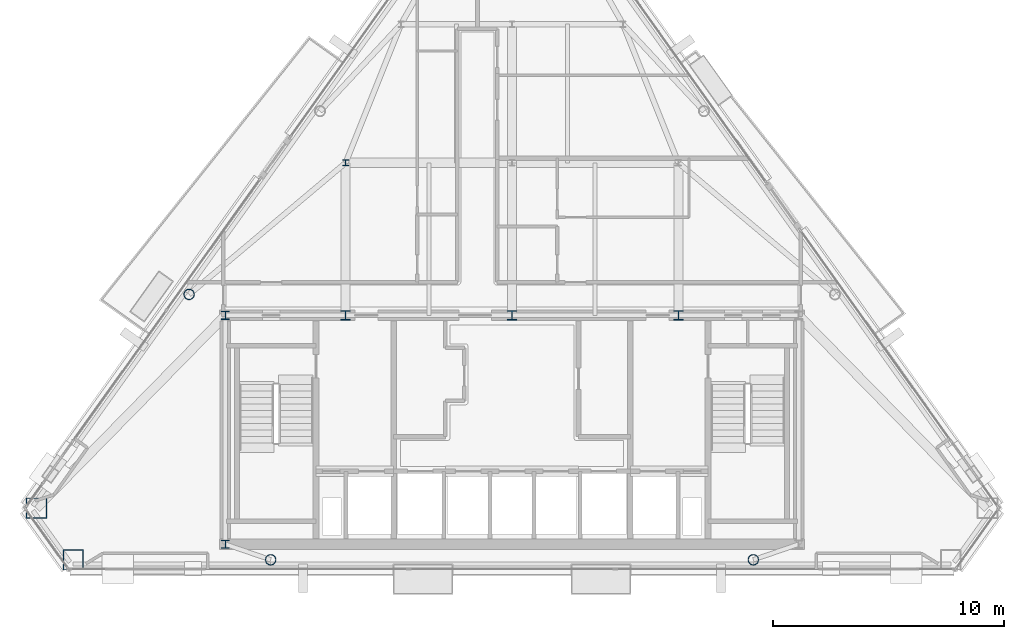
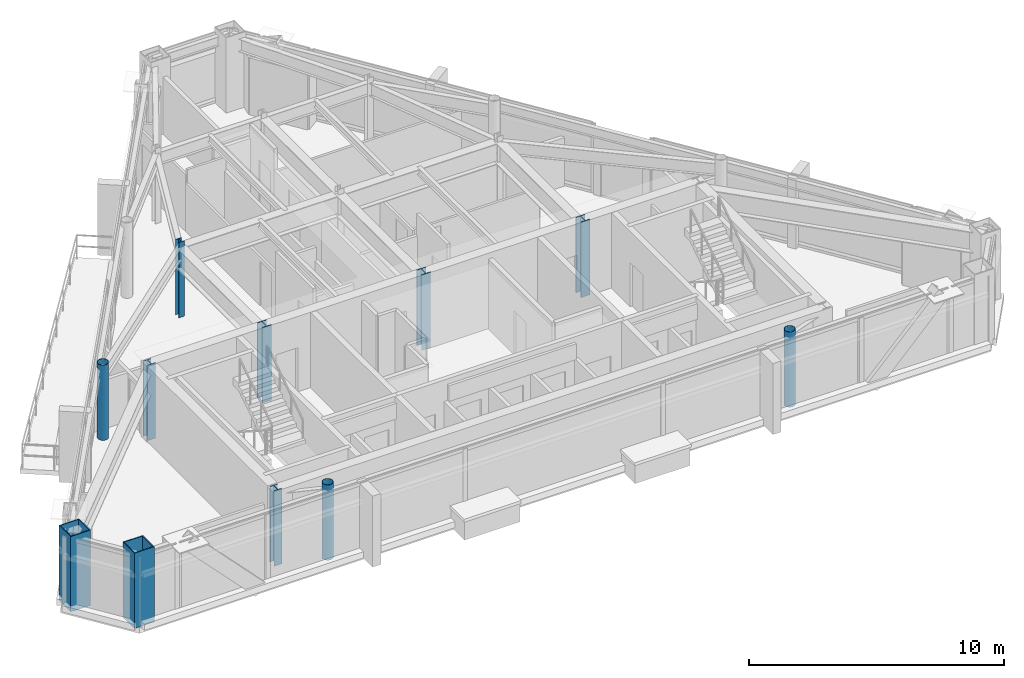
# One storey, part 1 of 12: 11 columns.
"""IFC4 building model written with IfcOpenShell, lengths in metres."""

from ifc_helpers import new_model, si_unit, direction, frame, origin, origin_2d, place, context, subcontext, project, spatial, hollow_rectangle, hollow_circle, i_section, extrude, material, material_profile, profile_set, type_object, element, save


model = new_model("IFC4")

# Units and contexts
model_context = context("Model", 3, precision=1e-05, world=origin(), true_north=direction((0.0, 1.0)))
body_context = subcontext(model_context, "Body", "Model", "MODEL_VIEW")
ifc_project = project(units=[si_unit("LENGTHUNIT", "METRE"), si_unit("AREAUNIT", "SQUARE_METRE"), si_unit("VOLUMEUNIT", "CUBIC_METRE"), si_unit("PLANEANGLEUNIT", "RADIAN"), si_unit("MASSUNIT", "GRAM", prefix="KILO")], contexts=[model_context])

# Site, building, storey
site_placement = place(None, origin())
site = spatial("IfcSite", under=ifc_project, at=site_placement, CompositionType="ELEMENT")
building_placement = place(site_placement, origin())
building = spatial("IfcBuilding", under=site, at=building_placement, Name="Talgorran Terracotta Tower", CompositionType="ELEMENT")
storey_placement = place(building_placement, frame((0.0, 0.0, 277.800048828125)))
storey = spatial("IfcBuildingStorey", under=building, at=storey_placement, Name="L73", CompositionType="ELEMENT", Elevation=277.800048828125)

# Columns
ifc_material_1 = material(Name="Steel S355 (300PLUS)", Category="steel")
ifc_material_profile_1 = material_profile(ifc_material_1, i_section(OverallWidth=0.256103515625, OverallDepth=0.260009765625, WebThickness=0.010498046875, FlangeThickness=0.017333984375, at=origin_2d()), Name="250UC89.5")
ifc_profile_set_1 = profile_set([ifc_material_profile_1], Name="Steel S355 (300PLUS)")
column_type_1 = type_object("IfcColumnType", Name="COL_250UC89", PredefinedType="COLUMN", material=ifc_profile_set_1)
column_placement = place(storey_placement, frame((-7.199951171875, 2.39990234375, 0.0), z_axis=(0.0, 0.0, 1.0), x_axis=(1.0, 0.0, 0.0)))
element("IfcColumn", 1, at=column_placement, inside=storey, type_object=column_type_1, Name="L73 Interior Gravity Column IC1", PredefinedType="COLUMN", context=body_context, shape_type="SweptSolid", body=[
    extrude(i_section(OverallWidth=0.256103515625, OverallDepth=0.260009765625, WebThickness=0.010498046875, FlangeThickness=0.017333984375, at=origin_2d()), origin(), (0.0, 0.0, 1.0), 3.599853515625),
])
ifc_material_profile_2 = material_profile(ifc_material_1, i_section(OverallWidth=0.35205078125, OverallDepth=0.35888671875, WebThickness=0.01806640625, FlangeThickness=0.02587890625, at=origin_2d()), Name="350WC197")
ifc_profile_set_2 = profile_set([ifc_material_profile_2], Name="Steel S355 (300PLUS)")
column_type_2 = type_object("IfcColumnType", Name="COL_350WC197", PredefinedType="COLUMN", material=ifc_profile_set_2)
for number, where, z_axis, x_axis, name in (
    (2, (-12.39990234375, -14.10009765625, 0.0), (0.0, 0.0, 1.0), (1.0, 0.0, 0.0), "L73 Core Boundary Column CC1"),
    (3, (-12.39990234375, -4.199951171875, 0.0), (0.0, 0.0, 1.0), (1.0, 0.0, 0.0), "L73 Core Boundary Column CC4"),
):
    element("IfcColumn", number, at=place(storey_placement, frame(where, z_axis=z_axis, x_axis=x_axis)), inside=storey, type_object=column_type_2, Name=name, PredefinedType="COLUMN", context=body_context, shape_type="SweptSolid", body=[
        extrude(i_section(OverallWidth=0.35205078125, OverallDepth=0.35888671875, WebThickness=0.01806640625, FlangeThickness=0.02587890625, at=origin_2d()), origin(), (0.0, 0.0, 1.0), 3.599853515625),
    ])
ifc_material_2 = material(Name="Steel Grade 350 (350L0)", Category="steel")
ifc_material_profile_3 = material_profile(ifc_material_2, hollow_rectangle(XDim=0.89990234375, YDim=0.89990234375, WallThickness=0.0400390625, at=origin_2d()), Name="CFT900X900X40")
ifc_profile_set_3 = profile_set([ifc_material_profile_3], Name="Steel Grade 350 (350L0)")
column_type_3 = type_object("IfcColumnType", Name="COL_CFT_900", PredefinedType="COLUMN", material=ifc_profile_set_3)
for number, where, z_axis, x_axis, name in (
    (4, (-20.578857421875, -12.542724609375, 0.0), (0.0, 0.0, 1.0), (1.0, 0.0, 0.0), "L73 Corner CFT Mega-Column MC1"),
    (5, (-18.984619140625, -14.7744140625, 0.0), (0.0, 0.0, 1.0), (1.0, 0.0, 0.0), "L73 Corner CFT Mega-Column MC2"),
):
    element("IfcColumn", number, at=place(storey_placement, frame(where, z_axis=z_axis, x_axis=x_axis)), inside=storey, type_object=column_type_3, Name=name, PredefinedType="COLUMN", context=body_context, shape_type="SweptSolid", body=[
        extrude(hollow_rectangle(XDim=0.89990234375, YDim=0.89990234375, WallThickness=0.0400390625, at=origin_2d()), origin(), (0.0, 0.0, 1.0), 3.599853515625),
    ])
ifc_material_3 = material(Name="Steel S350 (C350L0)", Category="steel")
ifc_material_profile_4 = material_profile(ifc_material_3, hollow_circle(Radius=0.228515625, WallThickness=0.01611328125, at=origin_2d()), Name="CHS457X16")
ifc_profile_set_4 = profile_set([ifc_material_profile_4], Name="Steel S350 (C350L0)")
column_type_4 = type_object("IfcColumnType", Name="COL_CHS_457", PredefinedType="COLUMN", material=ifc_profile_set_4)
for number, where, z_axis, x_axis, name in (
    (6, (-10.441650390625, -14.7744140625, 0.0), (0.0, 0.0, 1.0), (1.0, 0.0, 0.0), "L73 Facet Perimeter Column FC1"),
    (7, (10.441650390625, -14.7744140625, 0.0), (0.0, 0.0, 1.0), (1.0, 0.0, 0.0), "L73 Facet Perimeter Column FC2"),
    (8, (-13.970458984375, -3.29150390625, 0.0), (0.0, 0.0, 1.0), (1.0, 0.0, 0.0), "L73 Facet Perimeter Column FC6"),
):
    element("IfcColumn", number, at=place(storey_placement, frame(where, z_axis=z_axis, x_axis=x_axis)), inside=storey, type_object=column_type_4, Name=name, PredefinedType="COLUMN", context=body_context, shape_type="SweptSolid", body=[
        extrude(hollow_circle(Radius=0.228515625, WallThickness=0.01611328125, at=origin_2d()), origin(), (0.0, 0.0, 1.0), 3.599853515625),
    ])
ifc_material_profile_5 = material_profile(ifc_material_1, i_section(OverallWidth=0.405029296875, OverallDepth=0.4140625, WebThickness=0.02197265625, FlangeThickness=0.031982421875, at=origin_2d()), Name="400WC270")
ifc_profile_set_5 = profile_set([ifc_material_profile_5], Name="Steel S355 (300PLUS)")
column_type_5 = type_object("IfcColumnType", Name="COL_PIL_400WC270", PredefinedType="PILASTER", material=ifc_profile_set_5)
for number, where, z_axis, x_axis, name in (
    (9, (-7.199951171875, -4.199951171875, 0.0), (0.0, 0.0, 1.0), (1.0, 0.0, 0.0), "L73 Core Shear Pilaster CP1"),
    (10, (0.0, -4.199951171875, 0.0), (0.0, 0.0, 1.0), (1.0, 0.0, 0.0), "L73 Core Shear Pilaster CP2"),
    (11, (7.199951171875, -4.199951171875, 0.0), (0.0, 0.0, 1.0), (1.0, 0.0, 0.0), "L73 Core Shear Pilaster CP3"),
):
    element("IfcColumn", number, at=place(storey_placement, frame(where, z_axis=z_axis, x_axis=x_axis)), inside=storey, type_object=column_type_5, Name=name, PredefinedType="PILASTER", context=body_context, shape_type="SweptSolid", body=[
        extrude(i_section(OverallWidth=0.405029296875, OverallDepth=0.4140625, WebThickness=0.02197265625, FlangeThickness=0.031982421875, at=origin_2d()), origin(), (0.0, 0.0, 1.0), 3.599853515625),
    ])

save(model, "model.ifc")
